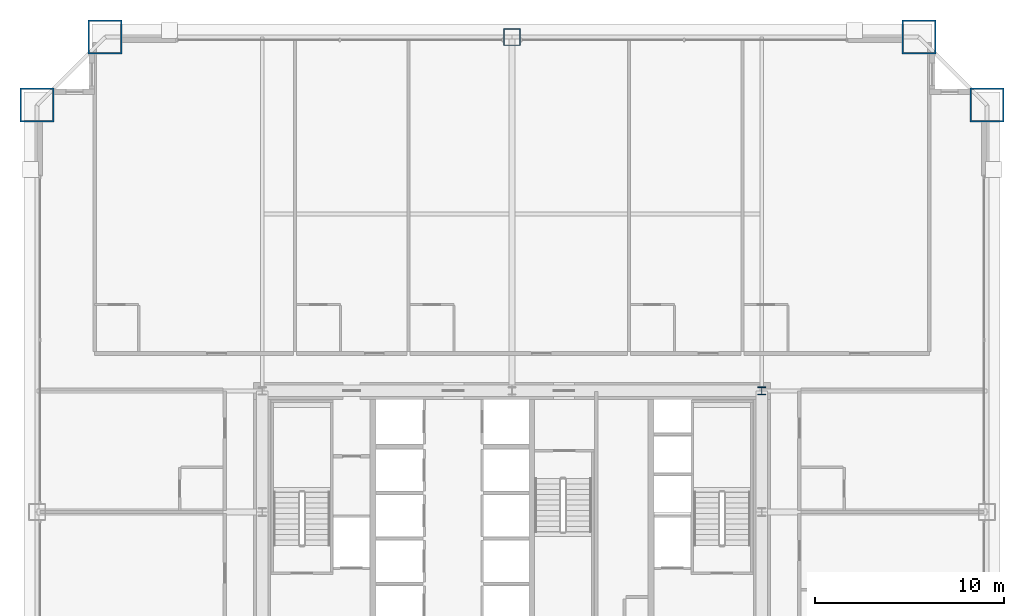
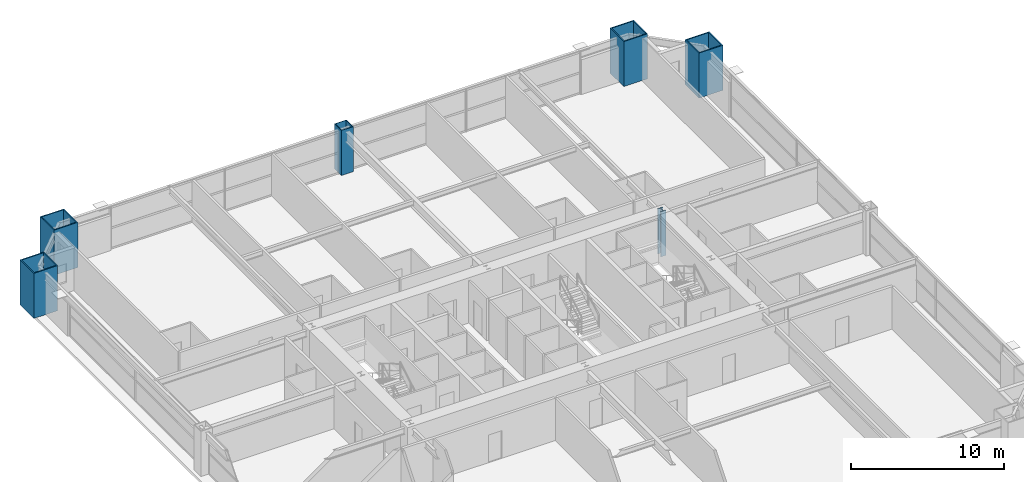
# One storey, part 2 of 43: 6 columns.
"""IFC4 building model written with IfcOpenShell, lengths in metres."""

from ifc_helpers import new_model, si_unit, direction, frame, origin, origin_2d, place, context, subcontext, project, spatial, hollow_rectangle, i_section, extrude, source, transform, mapped, material, material_profile, profile_set, type_object, element, save


model = new_model("IFC4")

# Units and contexts
model_context = context("Model", 3, precision=1e-05, world=origin(), true_north=direction((0.0, 1.0)))
body_context = subcontext(model_context, "Body", "Model", "MODEL_VIEW")
ifc_project = project(units=[si_unit("LENGTHUNIT", "METRE"), si_unit("AREAUNIT", "SQUARE_METRE"), si_unit("VOLUMEUNIT", "CUBIC_METRE"), si_unit("PLANEANGLEUNIT", "RADIAN"), si_unit("MASSUNIT", "GRAM", prefix="KILO"), si_unit("THERMODYNAMICTEMPERATUREUNIT", "KELVIN"), si_unit("POWERUNIT", "WATT")], contexts=[model_context])

# Site, building, storey
site_placement = place(None, origin())
site = spatial("IfcSite", under=ifc_project, at=site_placement, CompositionType="ELEMENT")
building_placement = place(site_placement, origin())
building = spatial("IfcBuilding", under=site, at=building_placement, Name="Yuzanri Waterfront Tower", CompositionType="ELEMENT")
storey_placement = place(building_placement, frame((0.0, 0.0, 78.39990234375)))
storey = spatial("IfcBuildingStorey", under=building, at=storey_placement, Name="L20", CompositionType="ELEMENT", Elevation=78.39990234375)

# Columns
ifc_material_1 = material(Name="Steel Q355B", Category="steel")
ifc_material_profile_1 = material_profile(ifc_material_1, i_section(OverallWidth=0.406982421875, OverallDepth=0.427978515625, WebThickness=0.02001953125, FlangeThickness=0.034912109375, at=origin_2d()), Name="HW 428x407x20x35")
ifc_profile_set_1 = profile_set([ifc_material_profile_1], Name="Steel Q355B")
column_type_1 = type_object("IfcColumnType", Name="Core Post Q355B HW 428x407x20x35", PredefinedType="COLUMN", material=ifc_profile_set_1)
shared_shape_1 = source(origin(), body_context, "Body", "SweptSolid", [
    extrude(i_section(OverallWidth=0.406982421875, OverallDepth=0.427978515625, WebThickness=0.02001953125, FlangeThickness=0.034912109375, at=origin_2d()), origin(), (0.0, 0.0, 1.0), 3.60009765625),
])
column_1_placement = place(storey_placement, frame((50.199951171875, 32.199951171875, 0.0), z_axis=(0.0, 0.0, 1.0), x_axis=(1.0, 0.0, 0.0)))
element("IfcColumn", 1, at=column_1_placement, inside=storey, type_object=column_type_1, Name="L20 Core Boundary Column CP8", PredefinedType="COLUMN", context=body_context, shape_type="MappedRepresentation", body=[
    mapped(shared_shape_1, transform((0.0, 0.0, 0.0), scale=1.0)),
])
ifc_material_2 = material(Name="Steel Q420GJC", Category="steel")
ifc_material_profile_2 = material_profile(ifc_material_2, hollow_rectangle(XDim=1.800048828125, YDim=1.800048828125, WallThickness=0.080078125, at=origin_2d()), Name="RHS 1800x1800x80")
ifc_profile_set_2 = profile_set([ifc_material_profile_2], Name="Steel Q420GJC")
column_type_2 = type_object("IfcColumnType", Name="Mega Column Q420GJC RHS 1800x1800x80", PredefinedType="COLUMN", material=ifc_profile_set_2)
shared_shape_2 = source(origin(), body_context, "Body", "SweptSolid", [
    extrude(hollow_rectangle(XDim=1.800048828125, YDim=1.800048828125, WallThickness=0.080078125, at=origin_2d()), origin(), (0.0, 0.0, 1.0), 3.60009765625),
])
for number, where, z_axis, x_axis, name in (
    (2, (15.5, 50.89990234375, 0.0), (0.0, 0.0, 1.0), (1.0, 0.0, 0.0), "L20 Perimeter Mega Column N1"),
    (3, (58.5, 50.89990234375, 0.0), (0.0, 0.0, 1.0), (1.0, 0.0, 0.0), "L20 Perimeter Mega Column N3"),
    (4, (11.89990234375, 47.300048828125, 0.0), (0.0, 0.0, 1.0), (1.0, 0.0, 0.0), "L20 Perimeter Mega Column W3"),
    (5, (62.10009765625, 47.300048828125, 0.0), (0.0, 0.0, 1.0), (1.0, 0.0, 0.0), "L20 Perimeter Mega Column E3"),
):
    element("IfcColumn", number, at=place(storey_placement, frame(where, z_axis=z_axis, x_axis=x_axis)), inside=storey, type_object=column_type_2, Name=name, PredefinedType="COLUMN", context=body_context, shape_type="MappedRepresentation", body=[
        mapped(shared_shape_2, transform((0.0, 0.0, 0.0), scale=1.0)),
    ])
ifc_material_3 = material(Name="Steel Q390GJC", Category="steel")
ifc_material_profile_3 = material_profile(ifc_material_3, hollow_rectangle(XDim=0.89990234375, YDim=0.89990234375, WallThickness=0.0419921875, at=origin_2d()), Name="RHS 900x900x42")
ifc_profile_set_3 = profile_set([ifc_material_profile_3], Name="Steel Q390GJC")
column_type_3 = type_object("IfcColumnType", Name="Frame Column Q390GJC RHS 900x900x42", PredefinedType="COLUMN", material=ifc_profile_set_3)
shared_shape_3 = source(origin(), body_context, "Body", "SweptSolid", [
    extrude(hollow_rectangle(XDim=0.89990234375, YDim=0.89990234375, WallThickness=0.0419921875, at=origin_2d()), origin(), (0.0, 0.0, 1.0), 3.60009765625),
])
column_2_placement = place(storey_placement, frame((37.0, 50.89990234375, 0.0), z_axis=(0.0, 0.0, 1.0), x_axis=(1.0, 0.0, 0.0)))
element("IfcColumn", 6, at=column_2_placement, inside=storey, type_object=column_type_3, Name="L20 Perimeter Frame Column N2", PredefinedType="COLUMN", context=body_context, shape_type="MappedRepresentation", body=[
    mapped(shared_shape_3, transform((0.0, 0.0, 0.0), scale=1.0)),
])

save(model, "model.ifc")
